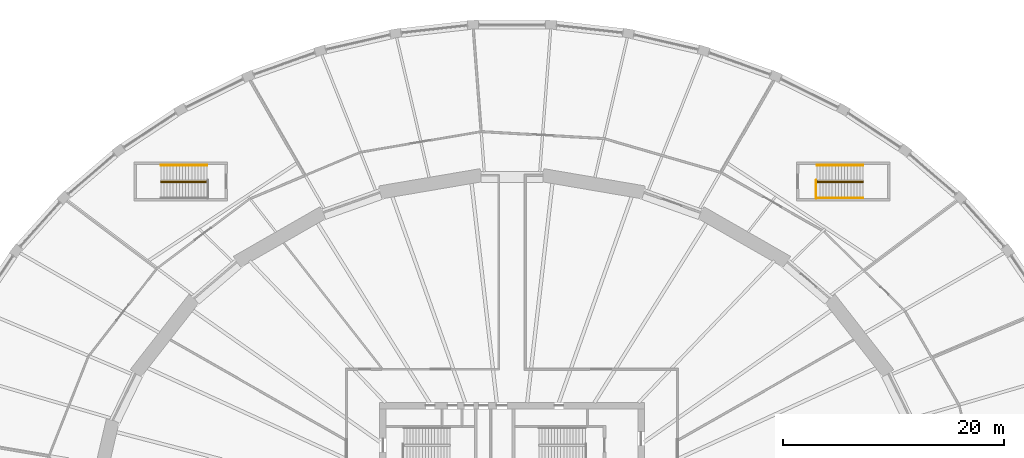
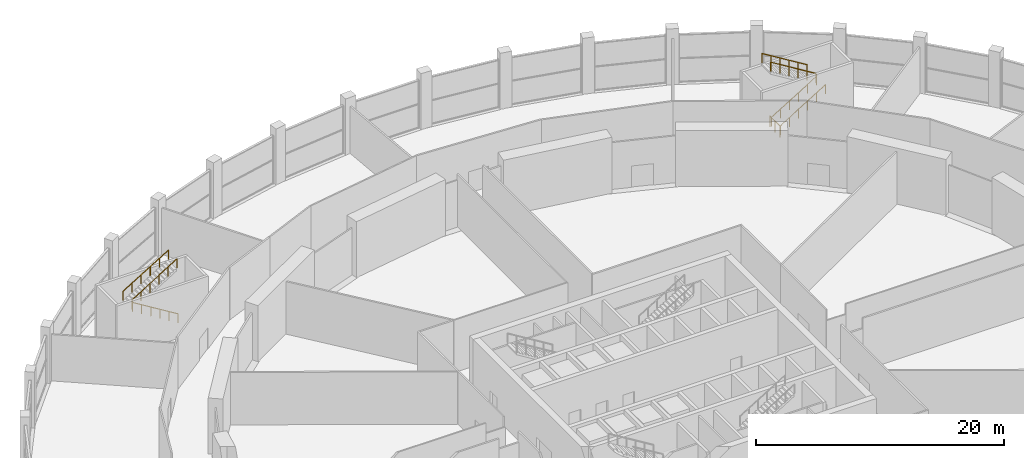
# One storey, part 28 of 29: 6 railings.
"""IFC4 building model written with IfcOpenShell, lengths in metres."""

from ifc_helpers import new_model, si_unit, direction, frame, origin, origin_2d, place, context, subcontext, project, spatial, circle, extrude, material, type_object, element, save


model = new_model("IFC4")

# Units and contexts
model_context = context("Model", 3, precision=1e-05, world=origin(), true_north=direction((0.0, 1.0)))
body_context = subcontext(model_context, "Body", "Model", "MODEL_VIEW")
ifc_project = project(units=[si_unit("LENGTHUNIT", "METRE"), si_unit("AREAUNIT", "SQUARE_METRE"), si_unit("VOLUMEUNIT", "CUBIC_METRE"), si_unit("PLANEANGLEUNIT", "RADIAN"), si_unit("MASSUNIT", "GRAM", prefix="KILO")], contexts=[model_context])

# Site, building, storey
site_placement = place(None, origin())
site = spatial("IfcSite", under=ifc_project, at=site_placement, CompositionType="ELEMENT")
building_placement = place(site_placement, origin())
building = spatial("IfcBuilding", under=site, at=building_placement, Name="Halqa Exchange Tower", CompositionType="ELEMENT")
storey_placement = place(building_placement, frame((0.0, 0.0, 12.5)))
storey = spatial("IfcBuildingStorey", under=building, at=storey_placement, Name="L02", CompositionType="ELEMENT", Elevation=12.5)

# Railings
ifc_material = material(Name="Stainless steel", Category="steel")
railing_type_1 = type_object("IfcRailingType", Name="Stair handrail 900", PredefinedType="HANDRAIL", material=ifc_material)
railing_1_placement = place(storey_placement, frame((27.60009765625, 31.93505859375, 0.171875)))
element("IfcRailing", 1, at=railing_1_placement, inside=storey, type_object=railing_type_1, Name="Handrail PS1.1", PredefinedType="HANDRAIL", context=body_context, shape_type="SweptSolid", body=[
    extrude(circle(Radius=0.02392578125, at=origin_2d()), frame((0.0, 0.0, 0.8759765625), z_axis=(0.852242915053, 0.0, 0.523146264196), x_axis=(0.0, 1.0, 0.0)), (0.0, 0.0, 1.0), 4.92822265625),
    extrude(circle(Radius=0.02392578125, at=origin_2d()), frame((4.199951171875, 0.0, 3.4541015625), z_axis=(0.0, 0.602897214173, 0.797818869883), x_axis=(-1.0, 0.0, 0.0)), (0.0, 0.0, 1.0), 0.21533203125),
    extrude(circle(Radius=0.02392578125, at=origin_2d()), frame((4.199951171875, 0.1298828125, 3.6259765625), z_axis=(-0.852242915053, 0.0, 0.523146264196), x_axis=(0.0, -1.0, 0.0)), (0.0, 0.0, 1.0), 4.92822265625),
    extrude(circle(Radius=0.02099609375, at=origin_2d()), origin(), (0.0, 0.0, 1.0), 0.851806640625),
    extrude(circle(Radius=0.02099609375, at=origin_2d()), frame((0.840087890625, 0.0, 0.515625)), (0.0, 0.0, 1.0), 0.851806640625),
    extrude(circle(Radius=0.02099609375, at=origin_2d()), frame((1.679931640625, 0.0, 1.03125)), (0.0, 0.0, 1.0), 0.851806640625),
    extrude(circle(Radius=0.02099609375, at=origin_2d()), frame((2.52001953125, 0.0, 1.546875)), (0.0, 0.0, 1.0), 0.851806640625),
    extrude(circle(Radius=0.02099609375, at=origin_2d()), frame((3.35986328125, 0.0, 2.0625)), (0.0, 0.0, 1.0), 0.851806640625),
    extrude(circle(Radius=0.02099609375, at=origin_2d()), frame((4.199951171875, 0.0, 2.578125)), (0.0, 0.0, 1.0), 0.851806640625),
    extrude(circle(Radius=0.02099609375, at=origin_2d()), frame((4.199951171875, 0.1298828125, 2.75)), (0.0, 0.0, 1.0), 0.851806640625),
    extrude(circle(Radius=0.02099609375, at=origin_2d()), frame((3.35986328125, 0.1298828125, 3.265625)), (0.0, 0.0, 1.0), 0.851806640625),
    extrude(circle(Radius=0.02099609375, at=origin_2d()), frame((2.52001953125, 0.1298828125, 3.78125)), (0.0, 0.0, 1.0), 0.851806640625),
    extrude(circle(Radius=0.02099609375, at=origin_2d()), frame((1.679931640625, 0.1298828125, 4.296875)), (0.0, 0.0, 1.0), 0.851806640625),
    extrude(circle(Radius=0.02099609375, at=origin_2d()), frame((0.840087890625, 0.1298828125, 4.8125)), (0.0, 0.0, 1.0), 0.851806640625),
    extrude(circle(Radius=0.02099609375, at=origin_2d()), frame((0.0, 0.1298828125, 5.328125)), (0.0, 0.0, 1.0), 0.851806640625),
])
railing_2_placement = place(storey_placement, frame((27.60009765625, 30.52490234375, 0.171875)))
element("IfcRailing", 2, at=railing_2_placement, inside=storey, type_object=railing_type_1, Name="Handrail PS1.2", PredefinedType="HANDRAIL", context=body_context, shape_type="SweptSolid", body=[
    extrude(circle(Radius=0.02392578125, at=origin_2d()), frame((0.0, 0.0, 0.8759765625), z_axis=(0.852242915053, 0.0, 0.523146264196), x_axis=(0.0, 1.0, 0.0)), (0.0, 0.0, 1.0), 4.92822265625),
    extrude(circle(Radius=0.02099609375, at=origin_2d()), origin(), (0.0, 0.0, 1.0), 0.851806640625),
    extrude(circle(Radius=0.02099609375, at=origin_2d()), frame((0.840087890625, 0.0, 0.515625)), (0.0, 0.0, 1.0), 0.851806640625),
    extrude(circle(Radius=0.02099609375, at=origin_2d()), frame((1.679931640625, 0.0, 1.03125)), (0.0, 0.0, 1.0), 0.851806640625),
    extrude(circle(Radius=0.02099609375, at=origin_2d()), frame((2.52001953125, 0.0, 1.546875)), (0.0, 0.0, 1.0), 0.851806640625),
    extrude(circle(Radius=0.02099609375, at=origin_2d()), frame((3.35986328125, 0.0, 2.0625)), (0.0, 0.0, 1.0), 0.851806640625),
    extrude(circle(Radius=0.02099609375, at=origin_2d()), frame((4.199951171875, 0.0, 2.578125)), (0.0, 0.0, 1.0), 0.851806640625),
])
railing_3_placement = place(storey_placement, frame((31.800048828125, 33.47509765625, 2.921875)))
element("IfcRailing", 3, at=railing_3_placement, inside=storey, type_object=railing_type_1, Name="Handrail PS1.3", PredefinedType="HANDRAIL", context=body_context, shape_type="SweptSolid", body=[
    extrude(circle(Radius=0.02392578125, at=origin_2d()), frame((0.0, 0.0, 0.8759765625), z_axis=(-0.852242915053, 0.0, 0.523146264196), x_axis=(0.0, -1.0, 0.0)), (0.0, 0.0, 1.0), 4.92822265625),
    extrude(circle(Radius=0.02099609375, at=origin_2d()), origin(), (0.0, 0.0, 1.0), 0.851806640625),
    extrude(circle(Radius=0.02099609375, at=origin_2d()), frame((-0.840087890625, 0.0, 0.515625)), (0.0, 0.0, 1.0), 0.851806640625),
    extrude(circle(Radius=0.02099609375, at=origin_2d()), frame((-1.679931640625, 0.0, 1.03125)), (0.0, 0.0, 1.0), 0.851806640625),
    extrude(circle(Radius=0.02099609375, at=origin_2d()), frame((-2.52001953125, 0.0, 1.546875)), (0.0, 0.0, 1.0), 0.851806640625),
    extrude(circle(Radius=0.02099609375, at=origin_2d()), frame((-3.35986328125, 0.0, 2.0625)), (0.0, 0.0, 1.0), 0.851806640625),
    extrude(circle(Radius=0.02099609375, at=origin_2d()), frame((-4.199951171875, 0.0, 2.578125)), (0.0, 0.0, 1.0), 0.851806640625),
])
railing_4_placement = place(storey_placement, frame((-27.60009765625, 31.93505859375, 0.171875)))
element("IfcRailing", 4, at=railing_4_placement, inside=storey, type_object=railing_type_1, Name="Handrail PS3.1", PredefinedType="HANDRAIL", context=body_context, shape_type="SweptSolid", body=[
    extrude(circle(Radius=0.02392578125, at=origin_2d()), frame((0.0, 0.0, 0.8759765625), z_axis=(-0.852242915053, 0.0, 0.523146264196), x_axis=(0.0, -1.0, 0.0)), (0.0, 0.0, 1.0), 4.92822265625),
    extrude(circle(Radius=0.02392578125, at=origin_2d()), frame((-4.199951171875, 0.0, 3.4541015625), z_axis=(0.0, 0.602897214173, 0.797818869883), x_axis=(-1.0, 0.0, 0.0)), (0.0, 0.0, 1.0), 0.21533203125),
    extrude(circle(Radius=0.02392578125, at=origin_2d()), frame((-4.199951171875, 0.1298828125, 3.6259765625), z_axis=(0.852242915053, 0.0, 0.523146264196), x_axis=(0.0, 1.0, 0.0)), (0.0, 0.0, 1.0), 4.92822265625),
    extrude(circle(Radius=0.02099609375, at=origin_2d()), origin(), (0.0, 0.0, 1.0), 0.851806640625),
    extrude(circle(Radius=0.02099609375, at=origin_2d()), frame((-0.840087890625, 0.0, 0.515625)), (0.0, 0.0, 1.0), 0.851806640625),
    extrude(circle(Radius=0.02099609375, at=origin_2d()), frame((-1.679931640625, 0.0, 1.03125)), (0.0, 0.0, 1.0), 0.851806640625),
    extrude(circle(Radius=0.02099609375, at=origin_2d()), frame((-2.52001953125, 0.0, 1.546875)), (0.0, 0.0, 1.0), 0.851806640625),
    extrude(circle(Radius=0.02099609375, at=origin_2d()), frame((-3.35986328125, 0.0, 2.0625)), (0.0, 0.0, 1.0), 0.851806640625),
    extrude(circle(Radius=0.02099609375, at=origin_2d()), frame((-4.199951171875, 0.0, 2.578125)), (0.0, 0.0, 1.0), 0.851806640625),
    extrude(circle(Radius=0.02099609375, at=origin_2d()), frame((-4.199951171875, 0.1298828125, 2.75)), (0.0, 0.0, 1.0), 0.851806640625),
    extrude(circle(Radius=0.02099609375, at=origin_2d()), frame((-3.35986328125, 0.1298828125, 3.265625)), (0.0, 0.0, 1.0), 0.851806640625),
    extrude(circle(Radius=0.02099609375, at=origin_2d()), frame((-2.52001953125, 0.1298828125, 3.78125)), (0.0, 0.0, 1.0), 0.851806640625),
    extrude(circle(Radius=0.02099609375, at=origin_2d()), frame((-1.679931640625, 0.1298828125, 4.296875)), (0.0, 0.0, 1.0), 0.851806640625),
    extrude(circle(Radius=0.02099609375, at=origin_2d()), frame((-0.840087890625, 0.1298828125, 4.8125)), (0.0, 0.0, 1.0), 0.851806640625),
    extrude(circle(Radius=0.02099609375, at=origin_2d()), frame((0.0, 0.1298828125, 5.328125)), (0.0, 0.0, 1.0), 0.851806640625),
])
railing_5_placement = place(storey_placement, frame((-31.800048828125, 33.47509765625, 2.921875)))
element("IfcRailing", 5, at=railing_5_placement, inside=storey, type_object=railing_type_1, Name="Handrail PS3.3", PredefinedType="HANDRAIL", context=body_context, shape_type="SweptSolid", body=[
    extrude(circle(Radius=0.02392578125, at=origin_2d()), frame((0.0, 0.0, 0.8759765625), z_axis=(0.852242915053, 0.0, 0.523146264196), x_axis=(0.0, 1.0, 0.0)), (0.0, 0.0, 1.0), 4.92822265625),
    extrude(circle(Radius=0.02099609375, at=origin_2d()), origin(), (0.0, 0.0, 1.0), 0.851806640625),
    extrude(circle(Radius=0.02099609375, at=origin_2d()), frame((0.840087890625, 0.0, 0.515625)), (0.0, 0.0, 1.0), 0.851806640625),
    extrude(circle(Radius=0.02099609375, at=origin_2d()), frame((1.679931640625, 0.0, 1.03125)), (0.0, 0.0, 1.0), 0.851806640625),
    extrude(circle(Radius=0.02099609375, at=origin_2d()), frame((2.52001953125, 0.0, 1.546875)), (0.0, 0.0, 1.0), 0.851806640625),
    extrude(circle(Radius=0.02099609375, at=origin_2d()), frame((3.35986328125, 0.0, 2.0625)), (0.0, 0.0, 1.0), 0.851806640625),
    extrude(circle(Radius=0.02099609375, at=origin_2d()), frame((4.199951171875, 0.0, 2.578125)), (0.0, 0.0, 1.0), 0.851806640625),
])
railing_type_2 = type_object("IfcRailingType", Name="Stair well guard 1100", PredefinedType="GUARDRAIL", material=ifc_material)
railing_6_placement = place(storey_placement, frame((27.550048828125, 30.47509765625, 0.0)))
element("IfcRailing", 6, at=railing_6_placement, inside=storey, type_object=railing_type_2, Name="Guard PS1 well", PredefinedType="GUARDRAIL", context=body_context, shape_type="SweptSolid", body=[
    extrude(circle(Radius=0.02392578125, at=origin_2d()), frame((0.0, 0.0, 1.076171875), z_axis=(0.0, 1.0, 0.0), x_axis=(-1.0, 0.0, 0.0)), (0.0, 0.0, 1.0), 1.64990234375),
    extrude(circle(Radius=0.02099609375, at=origin_2d()), origin(), (0.0, 0.0, 1.0), 1.052001953125),
    extrude(circle(Radius=0.02099609375, at=origin_2d()), frame((0.0, 0.824951171875, 0.0)), (0.0, 0.0, 1.0), 1.052001953125),
    extrude(circle(Radius=0.02099609375, at=origin_2d()), frame((0.0, 1.64990234375, 0.0)), (0.0, 0.0, 1.0), 1.052001953125),
])

save(model, "model.ifc")
